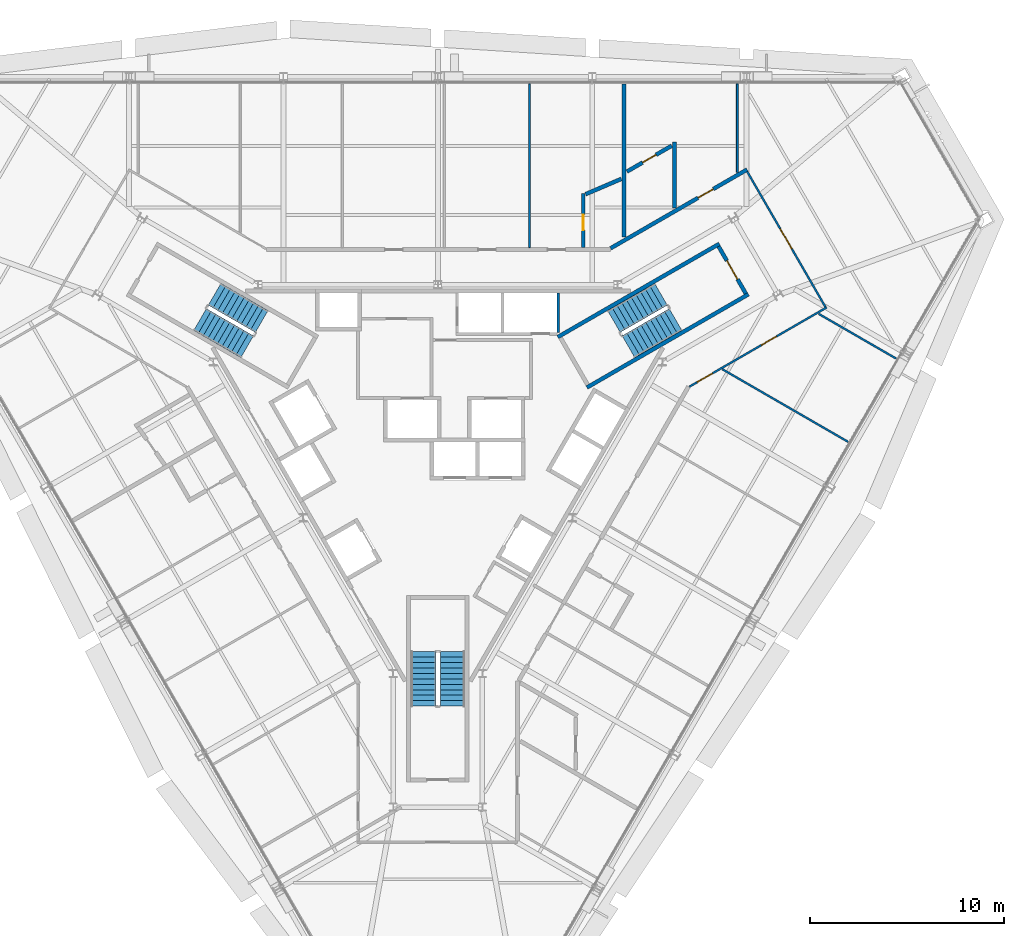
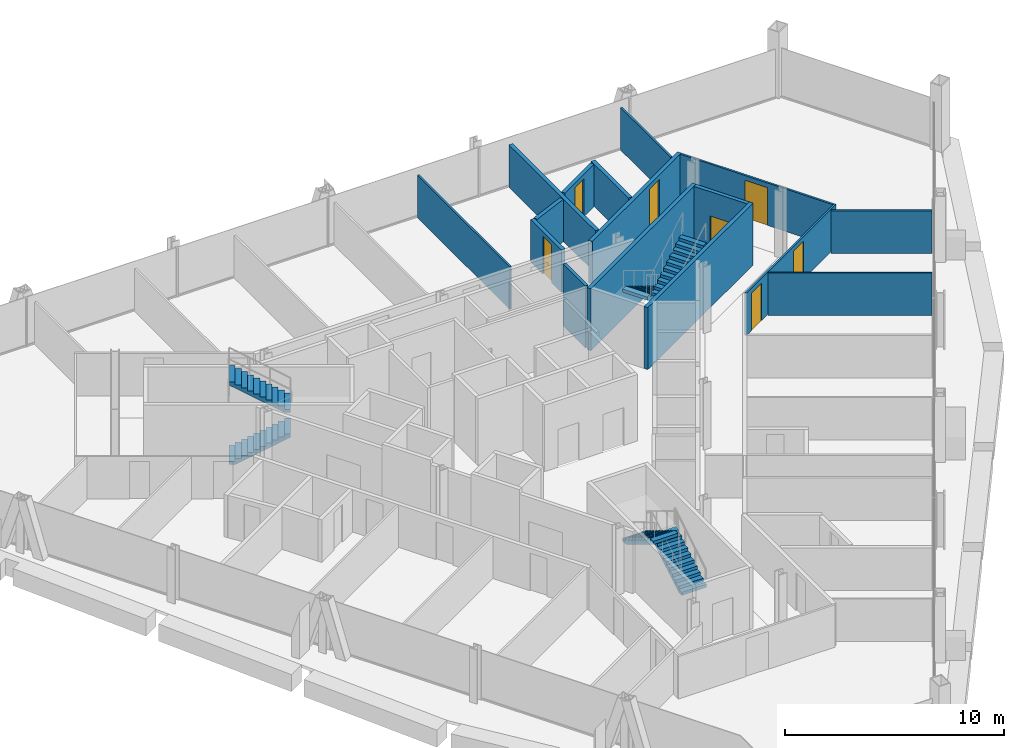
# One storey, part 12 of 14: 16 walls, 7 doors, 6 stair flights, 7 openings, 3 elements without a shape of their own.
"""IFC4 building model written with IfcOpenShell, lengths in metres."""

from ifc_helpers import new_model, si_unit, direction, frame, frame_2d, origin, place, context, subcontext, project, spatial, polyline, rectangle, outline, extrude, material, layer, layer_set, type_object, element, fill, aggregate, save


model = new_model("IFC4")

# Units and contexts
model_context = context("Model", 3, precision=1e-05, world=origin(), true_north=direction((0.0, 1.0)))
body_context = subcontext(model_context, "Body", "Model", "MODEL_VIEW")
ifc_project = project(units=[si_unit("LENGTHUNIT", "METRE"), si_unit("AREAUNIT", "SQUARE_METRE"), si_unit("VOLUMEUNIT", "CUBIC_METRE"), si_unit("PLANEANGLEUNIT", "RADIAN"), si_unit("MASSUNIT", "GRAM", prefix="KILO")], contexts=[model_context])

# Site, building, storey
site_placement = place(None, origin())
site = spatial("IfcSite", under=ifc_project, at=site_placement, CompositionType="ELEMENT")
building_placement = place(site_placement, origin())
building = spatial("IfcBuilding", under=site, at=building_placement, Name="Verrane Prism Tower", CompositionType="ELEMENT")
storey_placement = place(building_placement, frame((0.0, 0.0, 196.89990234375)))
storey = spatial("IfcBuildingStorey", under=building, at=storey_placement, Name="L49", CompositionType="ELEMENT", Elevation=196.89990234375)

# Wall, opening, door
ifc_material_1 = material(Name="Concrete C40/50", Category="concrete")
ifc_layer_1 = layer(ifc_material_1, 0.199951171875)
ifc_layer_set_1 = layer_set([ifc_layer_1], Name="CW-200 stair core wall concrete C40/50 3 h")
wall_type_1 = type_object("IfcWallType", Name="CW-200 stair core wall concrete C40/50 3 h", PredefinedType="PARTITIONING", material=ifc_layer_set_1)
wall_1_placement = place(storey_placement, frame((15.85546875, 7.53759765625, 0.0), z_axis=(0.0, 0.0, 1.0), x_axis=(-0.500049511043, 0.865996816683, 0.0)))
wall_1 = element("IfcWall", 1, at=wall_1_placement, inside=storey, type_object=wall_type_1, Name="Stair 1 enclosure wall", PredefinedType="PARTITIONING", context=body_context, shape_type="SweptSolid", body=[
    extrude(rectangle(XDim=2.800048828125, YDim=0.199951171875, at=frame_2d((1.39990234375, 0.0))), origin(), (0.0, 0.0, 1.0), 3.4501953125),
])
opening_1_placement = place(wall_1_placement, frame((0.849853515625, 0.0, 0.0)))
opening_1 = element("IfcOpeningElement", 2, at=opening_1_placement, cuts=wall_1, Name="Opening D47500", PredefinedType="OPENING", context=body_context, shape_type="SweptSolid", body=[
    extrude(rectangle(XDim=1.10009765625, YDim=2.10009765625, at=frame_2d((0.550048828125, 1.050048828125))), frame((0.0, 0.10986328125, 0.0), z_axis=(0.0, -1.0, 0.0), x_axis=(1.0, 0.0, 0.0)), (0.0, 0.0, 1.0), 0.219970703125),
])
ifc_material_2 = material(Name="Timber veneered door leaf", Category="wood")
door_type_1 = type_object("IfcDoorType", Name="DR-1100x2100 FD90 single leaf stair", OperationType="NOTDEFINED", PredefinedType="DOOR", material=ifc_material_2)
door_1_placement = place(opening_1_placement, origin())
door_1 = element("IfcDoor", 3, at=door_1_placement, inside=storey, type_object=door_type_1, Name="Stair 1 door", OperationType="SINGLE_SWING_LEFT", OverallHeight=2.10009765625, OverallWidth=1.10009765625, PredefinedType="DOOR", context=body_context, shape_type="SweptSolid", body=[
    extrude(rectangle(XDim=1.10009765625, YDim=2.10009765625, at=frame_2d((0.550048828125, 1.050048828125))), frame((0.0, 0.02490234375, 0.0), z_axis=(0.0, -1.0, 0.0), x_axis=(1.0, 0.0, 0.0)), (0.0, 0.0, 1.0), 0.050048828125),
])
fill(opening_1, door_1)

# Walls
for number, where, z_axis, x_axis, name in (
    (4, (6.17822265625, 5.299072265625, 0.0), (0.0, 0.0, 1.0), (0.866019993635, 0.500009370536, 0.0), "Stair 1 enclosure wall"),
    (5, (7.67822265625, 2.700927734375, 0.0), (0.0, 0.0, 1.0), (0.866019993635, 0.500009370536, 0.0), "Stair 1 enclosure wall"),
):
    element("IfcWall", number, at=place(storey_placement, frame(where, z_axis=z_axis, x_axis=x_axis)), inside=storey, type_object=wall_type_1, Name=name, PredefinedType="PARTITIONING", context=body_context, shape_type="SweptSolid", body=[
        extrude(rectangle(XDim=9.599853515625, YDim=0.199951171875, at=frame_2d((4.7998046875, 0.0))), origin(), (0.0, 0.0, 1.0), 3.4501953125),
    ])
ifc_material_3 = material(Name="Gypsum board partition", Category="other")
ifc_layer_2 = layer(ifc_material_3, 0.10009765625)
ifc_layer_set_2 = layer_set([ifc_layer_2], Name="PW-100 room partition")
wall_type_2 = type_object("IfcWallType", Name="PW-100 room partition", PredefinedType="PARTITIONING", material=ifc_layer_set_2)
wall_2_placement = place(storey_placement, frame((4.719970703125, 9.89990234375, 0.0), z_axis=(0.0, 0.0, 1.0), x_axis=(0.0, 1.0, 0.0)))
element("IfcWall", 6, at=wall_2_placement, inside=storey, type_object=wall_type_2, Name="Room partition 032", PredefinedType="PARTITIONING", context=body_context, shape_type="SweptSolid", body=[
    extrude(rectangle(XDim=8.43505859375, YDim=0.10009765625, at=frame_2d((4.217529296875, 0.0))), origin(), (0.0, 0.0, 1.0), 2.362060546875),
])

# Wall, openings, doors
wall_3_placement = place(storey_placement, frame((20.023193359375, 6.825927734375, 0.0), z_axis=(0.0, 0.0, 1.0), x_axis=(-0.86608949446, -0.499888975259, 0.0)))
wall_3 = element("IfcWall", 7, at=wall_3_placement, inside=storey, type_object=wall_type_2, Name="Room partition 049", PredefinedType="PARTITIONING", context=body_context, shape_type="SweptSolid", body=[
    extrude(rectangle(XDim=8.164794921875, YDim=0.10009765625, at=frame_2d((4.08251953125, 0.0))), origin(), (0.0, 0.0, 1.0), 2.362060546875),
])
opening_2_placement = place(wall_3_placement, frame((6.800048828125, 0.0, 0.0)))
opening_2 = element("IfcOpeningElement", 8, at=opening_2_placement, cuts=wall_3, Name="Opening D47007", PredefinedType="OPENING", context=body_context, shape_type="SweptSolid", body=[
    extrude(rectangle(XDim=0.89990234375, YDim=2.10009765625, at=frame_2d((0.449951171875, 1.050048828125))), frame((0.0, 0.06005859375, 0.0), z_axis=(0.0, -1.0, 0.0), x_axis=(1.0, 0.0, 0.0)), (0.0, 0.0, 1.0), 0.1201171875),
])
opening_3_placement = place(wall_3_placement, frame((2.989013671875, 0.0, 0.0)))
opening_3 = element("IfcOpeningElement", 9, at=opening_3_placement, cuts=wall_3, Name="Opening D47008", PredefinedType="OPENING", context=body_context, shape_type="SweptSolid", body=[
    extrude(rectangle(XDim=0.89990234375, YDim=2.10009765625, at=frame_2d((0.449951171875, 1.050048828125))), frame((0.0, 0.06005859375, 0.0), z_axis=(0.0, -1.0, 0.0), x_axis=(1.0, 0.0, 0.0)), (0.0, 0.0, 1.0), 0.1201171875),
])
ifc_material_4 = material(Name="Timber veneered door leaf", Category="wood")
door_type_2 = type_object("IfcDoorType", Name="DR-900x2100 single leaf unit", OperationType="NOTDEFINED", PredefinedType="DOOR", material=ifc_material_4)
door_2_placement = place(opening_2_placement, origin())
door_2 = element("IfcDoor", 10, at=door_2_placement, inside=storey, type_object=door_type_2, Name="Study door", OperationType="SINGLE_SWING_RIGHT", OverallHeight=2.10009765625, OverallWidth=0.89990234375, PredefinedType="DOOR", context=body_context, shape_type="SweptSolid", body=[
    extrude(rectangle(XDim=0.89990234375, YDim=2.10009765625, at=frame_2d((0.449951171875, 1.050048828125))), frame((0.0, 0.02490234375, 0.0), z_axis=(0.0, -1.0, 0.0), x_axis=(1.0, 0.0, 0.0)), (0.0, 0.0, 1.0), 0.050048828125),
])
fill(opening_2, door_2)
door_3_placement = place(opening_3_placement, origin())
door_3 = element("IfcDoor", 11, at=door_3_placement, inside=storey, type_object=door_type_2, Name="Study door", OperationType="SINGLE_SWING_LEFT", OverallHeight=2.10009765625, OverallWidth=0.89990234375, PredefinedType="DOOR", context=body_context, shape_type="SweptSolid", body=[
    extrude(rectangle(XDim=0.89990234375, YDim=2.10009765625, at=frame_2d((0.449951171875, 1.050048828125))), frame((0.0, 0.02490234375, 0.0), z_axis=(0.0, -1.0, 0.0), x_axis=(1.0, 0.0, 0.0)), (0.0, 0.0, 1.0), 0.050048828125),
])
fill(opening_3, door_3)

# Walls
wall_4_placement = place(storey_placement, frame((14.651123046875, 3.6396484375, 0.0), z_axis=(0.0, 0.0, 1.0), x_axis=(0.866021145342, -0.500007375767, 0.0)))
element("IfcWall", 12, at=wall_4_placement, inside=storey, type_object=wall_type_2, Name="Room partition 050", PredefinedType="PARTITIONING", context=body_context, shape_type="SweptSolid", body=[
    extrude(rectangle(XDim=7.466796875, YDim=0.10009765625, at=frame_2d((3.7333984375, 0.0))), origin(), (0.0, 0.0, 1.0), 2.362060546875),
])
wall_5_placement = place(storey_placement, frame((15.426025390625, 13.78125, 0.0), z_axis=(0.0, 0.0, 1.0), x_axis=(0.0, 1.0, 0.0)))
element("IfcWall", 13, at=wall_5_placement, inside=storey, type_object=wall_type_2, Name="Room partition 051", PredefinedType="PARTITIONING", context=body_context, shape_type="SweptSolid", body=[
    extrude(rectangle(XDim=4.5537109375, YDim=0.10009765625, at=frame_2d((2.27685546875, 0.0))), origin(), (0.0, 0.0, 1.0), 2.362060546875),
])

# Wall, opening, door
wall_6_placement = place(storey_placement, frame((15.927978515625, 13.8115234375, 0.0), z_axis=(0.0, 0.0, 1.0), x_axis=(0.500422653123, -0.865781247337, 0.0)))
wall_6 = element("IfcWall", 14, at=wall_6_placement, inside=storey, type_object=wall_type_2, Name="Room partition 052", PredefinedType="PARTITIONING", context=body_context, shape_type="SweptSolid", body=[
    extrude(rectangle(XDim=8.04736328125, YDim=0.10009765625, at=frame_2d((4.023681640625, 0.0))), origin(), (0.0, 0.0, 1.0), 2.362060546875),
])
opening_4_placement = place(wall_6_placement, frame((3.39990234375, 0.0, 0.0)))
opening_4 = element("IfcOpeningElement", 15, at=opening_4_placement, cuts=wall_6, Name="Opening D47009", PredefinedType="OPENING", context=body_context, shape_type="SweptSolid", body=[
    extrude(rectangle(XDim=1.199951171875, YDim=2.10009765625, at=frame_2d((0.60009765625, 1.050048828125))), frame((0.0, 0.06005859375, 0.0), z_axis=(0.0, -1.0, 0.0), x_axis=(1.0, 0.0, 0.0)), (0.0, 0.0, 1.0), 0.1201171875),
])
ifc_material_5 = material(Name="Timber veneered door leaf", Category="wood")
door_type_3 = type_object("IfcDoorType", Name="DR-1200x2100 single leaf unit", OperationType="NOTDEFINED", PredefinedType="DOOR", material=ifc_material_5)
door_4_placement = place(opening_4_placement, origin())
door_4 = element("IfcDoor", 16, at=door_4_placement, inside=storey, type_object=door_type_3, Name="Living And Dining Room door", OperationType="SINGLE_SWING_LEFT", OverallHeight=2.10009765625, OverallWidth=1.199951171875, PredefinedType="DOOR", context=body_context, shape_type="SweptSolid", body=[
    extrude(rectangle(XDim=1.199951171875, YDim=2.10009765625, at=frame_2d((0.60009765625, 1.050048828125))), frame((0.0, 0.02490234375, 0.0), z_axis=(0.0, -1.0, 0.0), x_axis=(1.0, 0.0, 0.0)), (0.0, 0.0, 1.0), 0.050048828125),
])
fill(opening_4, door_4)

# Wall
wall_7_placement = place(storey_placement, frame((19.60107421875, 6.49560546875, 0.0), z_axis=(0.0, 0.0, 1.0), x_axis=(0.866056775574, -0.499945658529, 0.0)))
element("IfcWall", 17, at=wall_7_placement, inside=storey, type_object=wall_type_2, Name="Room partition 053", PredefinedType="PARTITIONING", context=body_context, shape_type="SweptSolid", body=[
    extrude(rectangle(XDim=4.60791015625, YDim=0.10009765625, at=frame_2d((2.303955078125, 0.0))), origin(), (0.0, 0.0, 1.0), 2.362060546875),
])

# Wall, opening, door
ifc_material_6 = material(Name="Gypsum board partition", Category="other")
ifc_layer_3 = layer(ifc_material_6, 0.199951171875)
ifc_layer_set_3 = layer_set([ifc_layer_3], Name="PW-200 plumbing wall")
wall_type_3 = type_object("IfcWallType", Name="PW-200 plumbing wall", PredefinedType="PARTITIONING", material=ifc_layer_set_3)
wall_8_placement = place(storey_placement, frame((7.487060546875, 12.699951171875, 0.0), z_axis=(0.0, 0.0, 1.0), x_axis=(0.0, -1.0, 0.0)))
wall_8 = element("IfcWall", 18, at=wall_8_placement, inside=storey, type_object=wall_type_3, Name="Plumbing wall 039", PredefinedType="PARTITIONING", context=body_context, shape_type="SweptSolid", body=[
    extrude(rectangle(XDim=2.800048828125, YDim=0.199951171875, at=frame_2d((1.39990234375, 0.0))), origin(), (0.0, 0.0, 1.0), 2.362060546875),
])
opening_5_placement = place(wall_8_placement, frame((1.10009765625, 0.0, 0.0)))
opening_5 = element("IfcOpeningElement", 19, at=opening_5_placement, cuts=wall_8, Name="Opening D47013", PredefinedType="OPENING", context=body_context, shape_type="SweptSolid", body=[
    extrude(rectangle(XDim=0.800048828125, YDim=2.10009765625, at=frame_2d((0.39990234375, 1.050048828125))), frame((0.0, 0.10986328125, 0.0), z_axis=(0.0, -1.0, 0.0), x_axis=(1.0, 0.0, 0.0)), (0.0, 0.0, 1.0), 0.219970703125),
])
ifc_material_7 = material(Name="Timber veneered door leaf", Category="wood")
door_type_4 = type_object("IfcDoorType", Name="DR-800x2100 single leaf bath", OperationType="NOTDEFINED", PredefinedType="DOOR", material=ifc_material_7)
door_5_placement = place(opening_5_placement, origin())
door_5 = element("IfcDoor", 20, at=door_5_placement, inside=storey, type_object=door_type_4, Name="Bathroom door", OperationType="SINGLE_SWING_RIGHT", OverallHeight=2.10009765625, OverallWidth=0.800048828125, PredefinedType="DOOR", context=body_context, shape_type="SweptSolid", body=[
    extrude(rectangle(XDim=0.800048828125, YDim=2.10009765625, at=frame_2d((0.39990234375, 1.050048828125))), frame((0.0, 0.02490234375, 0.0), z_axis=(0.0, -1.0, 0.0), x_axis=(1.0, 0.0, 0.0)), (0.0, 0.0, 1.0), 0.050048828125),
])
fill(opening_5, door_5)

# Wall
wall_9_placement = place(storey_placement, frame((7.6064453125, 12.651123046875, 0.0), z_axis=(0.0, 0.0, 1.0), x_axis=(0.919138725477, 0.39393400885, 0.0)))
element("IfcWall", 21, at=wall_9_placement, inside=storey, type_object=wall_type_3, Name="Plumbing wall 040", PredefinedType="PARTITIONING", context=body_context, shape_type="SweptSolid", body=[
    extrude(rectangle(XDim=2.0029296875, YDim=0.199951171875, at=frame_2d((1.00146484375, 0.0))), origin(), (0.0, 0.0, 1.0), 2.362060546875),
])

# Wall, opening, door
wall_10_placement = place(storey_placement, frame((8.89501953125, 9.867431640625, 0.0), z_axis=(0.0, 0.0, 1.0), x_axis=(0.866079355551, 0.499906541154, 0.0)))
wall_10 = element("IfcWall", 22, at=wall_10_placement, inside=storey, type_object=wall_type_3, Name="Plumbing wall 043", PredefinedType="PARTITIONING", context=body_context, shape_type="SweptSolid", body=[
    extrude(rectangle(XDim=8.11279296875, YDim=0.199951171875, at=frame_2d((4.056396484375, 0.0))), origin(), (0.0, 0.0, 1.0), 2.362060546875),
])
opening_6_placement = place(wall_10_placement, frame((5.200927734375, 0.0, 0.0)))
opening_6 = element("IfcOpeningElement", 23, at=opening_6_placement, cuts=wall_10, Name="Opening D47010", PredefinedType="OPENING", context=body_context, shape_type="SweptSolid", body=[
    extrude(rectangle(XDim=0.89990234375, YDim=2.10009765625, at=frame_2d((0.449951171875, 1.050048828125))), frame((0.0, 0.10986328125, 0.0), z_axis=(0.0, -1.0, 0.0), x_axis=(1.0, 0.0, 0.0)), (0.0, 0.0, 1.0), 0.219970703125),
])
ifc_material_8 = material(Name="Timber veneered door leaf", Category="wood")
door_type_5 = type_object("IfcDoorType", Name="DR-900x2100 single leaf inner", OperationType="NOTDEFINED", PredefinedType="DOOR", material=ifc_material_8)
door_6_placement = place(opening_6_placement, origin())
door_6 = element("IfcDoor", 24, at=door_6_placement, inside=storey, type_object=door_type_5, Name="Master Bedroom door", OperationType="SINGLE_SWING_RIGHT", OverallHeight=2.10009765625, OverallWidth=0.89990234375, PredefinedType="DOOR", context=body_context, shape_type="SweptSolid", body=[
    extrude(rectangle(XDim=0.89990234375, YDim=2.10009765625, at=frame_2d((0.449951171875, 1.050048828125))), frame((0.0, 0.02490234375, 0.0), z_axis=(0.0, -1.0, 0.0), x_axis=(1.0, 0.0, 0.0)), (0.0, 0.0, 1.0), 0.050048828125),
])
fill(opening_6, door_6)

# Wall
wall_11_placement = place(storey_placement, frame((9.5869140625, 10.440185546875, 0.0), z_axis=(0.0, 0.0, 1.0), x_axis=(0.0, 1.0, 0.0)))
element("IfcWall", 25, at=wall_11_placement, inside=storey, type_object=wall_type_3, Name="Plumbing wall 045", PredefinedType="PARTITIONING", context=body_context, shape_type="SweptSolid", body=[
    extrude(rectangle(XDim=7.894775390625, YDim=0.199951171875, at=frame_2d((3.947265625, 0.0))), origin(), (0.0, 0.0, 1.0), 2.362060546875),
])

# Wall, opening, door
wall_12_placement = place(storey_placement, frame((12.039794921875, 15.14599609375, 0.0), z_axis=(0.0, 0.0, 1.0), x_axis=(-0.866206990114, -0.499685351273, 0.0)))
wall_12 = element("IfcWall", 26, at=wall_12_placement, inside=storey, type_object=wall_type_3, Name="Plumbing wall 046", PredefinedType="PARTITIONING", context=body_context, shape_type="SweptSolid", body=[
    extrude(rectangle(XDim=2.658447265625, YDim=0.199951171875, at=frame_2d((1.3291015625, 0.0))), origin(), (0.0, 0.0, 1.0), 2.362060546875),
])
opening_7_placement = place(wall_12_placement, frame((0.931640625, 0.0, 0.0)))
opening_7 = element("IfcOpeningElement", 27, at=opening_7_placement, cuts=wall_12, Name="Opening D47011", PredefinedType="OPENING", context=body_context, shape_type="SweptSolid", body=[
    extrude(rectangle(XDim=0.800048828125, YDim=2.10009765625, at=frame_2d((0.39990234375, 1.050048828125))), frame((0.0, 0.10986328125, 0.0), z_axis=(0.0, -1.0, 0.0), x_axis=(1.0, 0.0, 0.0)), (0.0, 0.0, 1.0), 0.219970703125),
])
door_7_placement = place(opening_7_placement, origin())
door_7 = element("IfcDoor", 28, at=door_7_placement, inside=storey, type_object=door_type_4, Name="Master Bathroom door", OperationType="SINGLE_SWING_RIGHT", OverallHeight=2.10009765625, OverallWidth=0.800048828125, PredefinedType="DOOR", context=body_context, shape_type="SweptSolid", body=[
    extrude(rectangle(XDim=0.800048828125, YDim=2.10009765625, at=frame_2d((0.39990234375, 1.050048828125))), frame((0.0, 0.02490234375, 0.0), z_axis=(0.0, -1.0, 0.0), x_axis=(1.0, 0.0, 0.0)), (0.0, 0.0, 1.0), 0.050048828125),
])
fill(opening_7, door_7)

# Walls
wall_13_placement = place(storey_placement, frame((12.18701171875, 11.940185546875, 0.0), z_axis=(0.0, 0.0, 1.0), x_axis=(0.0, 1.0, 0.0)))
element("IfcWall", 29, at=wall_13_placement, inside=storey, type_object=wall_type_3, Name="Plumbing wall 048", PredefinedType="PARTITIONING", context=body_context, shape_type="SweptSolid", body=[
    extrude(rectangle(XDim=3.390869140625, YDim=0.199951171875, at=frame_2d((1.6953125, 0.0))), origin(), (0.0, 0.0, 1.0), 2.362060546875),
])
ifc_material_9 = material(Name="Gypsum board partition", Category="other")
ifc_layer_4 = layer(ifc_material_9, 0.14990234375)
ifc_layer_set_4 = layer_set([ifc_layer_4], Name="RS-150 riser enclosure wall 1 h")
wall_type_4 = type_object("IfcWallType", Name="RS-150 riser enclosure wall 1 h", PredefinedType="PARTITIONING", material=ifc_layer_set_4)
wall_14_placement = place(storey_placement, frame((6.199951171875, 5.534912109375, 0.0), z_axis=(0.0, 0.0, 1.0), x_axis=(0.0, 1.0, 0.0)))
element("IfcWall", 30, at=wall_14_placement, inside=storey, type_object=wall_type_4, Name="Riser wall RS3-007", PredefinedType="PARTITIONING", context=body_context, shape_type="SweptSolid", body=[
    extrude(rectangle(XDim=2.025146484375, YDim=0.14990234375, at=frame_2d((1.0126953125, 0.0))), origin(), (0.0, 0.0, 1.0), 3.4501953125),
])

# Stair, stair flights
ifc_material_10 = material(Name="Concrete C40/50", Category="concrete")
stair_type = type_object("IfcStairType", Name="Exit stair 1300 dog-leg precast concrete C40/50", PredefinedType="HALF_TURN_STAIR", material=ifc_material_10)
stair_1_placement = place(storey_placement, origin())
stair_1 = element("IfcStair", 31, at=stair_1_placement, inside=storey, type_object=stair_type, Name="Stair 1 L49", PredefinedType="HALF_TURN_STAIR")
ifc_material_11 = material(Name="Concrete C40/50", Category="concrete")
stair_flight_type = type_object("IfcStairFlightType", Name="Stair flight 1300 precast concrete C40/50", PredefinedType="STRAIGHT", material=ifc_material_11)
stair_flight_1_placement = place(storey_placement, frame((11.489501953125, 7.49951171875, 0.0), z_axis=(0.0, 0.0, 1.0), x_axis=(-0.866025403784, -0.5, 0.0)))
stair_flight_1 = element("IfcStairFlight", 32, at=stair_flight_1_placement, type_object=stair_flight_type, Name="Stair 1 flight 1", NumberOfRisers=11, NumberOfTreads=10, PredefinedType="STRAIGHT", RiserHeight=0.168181818, TreadLength=0.28, context=body_context, shape_type="SweptSolid", body=[
    extrude(outline(polyline([(0.0, 0.0), (0.0, 0.168212890625), (0.280029296875, 0.168212890625), (0.280029296875, 0.33642578125), (0.56005859375, 0.33642578125), (0.56005859375, 0.504638671875), (0.840087890625, 0.504638671875), (0.840087890625, 0.672607421875), (1.1201171875, 0.672607421875), (1.1201171875, 0.8408203125), (1.39990234375, 0.8408203125), (1.39990234375, 1.009033203125), (1.679931640625, 1.009033203125), (1.679931640625, 1.17724609375), (1.9599609375, 1.17724609375), (1.9599609375, 1.345458984375), (2.239990234375, 1.345458984375), (2.239990234375, 1.513671875), (2.52001953125, 1.513671875), (2.52001953125, 1.681884765625), (2.800048828125, 1.681884765625), (2.800048828125, 1.85009765625), (2.800048828125, 1.5068359375), (0.291015625, 0.0), (0.0, 0.0)])), frame((0.0, 0.64990234375, 0.0), z_axis=(0.0, -1.0, 0.0), x_axis=(1.0, 0.0, 0.0)), (0.0, 0.0, 1.0), 1.300048828125),
])
stair_flight_2_placement = place(storey_placement, frame((9.814697265625, 4.800537109375, 1.85009765625), z_axis=(0.0, 0.0, 1.0), x_axis=(0.866025403784, 0.5, 0.0)))
stair_flight_2 = element("IfcStairFlight", 33, at=stair_flight_2_placement, type_object=stair_flight_type, Name="Stair 1 flight 2", NumberOfRisers=11, NumberOfTreads=10, PredefinedType="STRAIGHT", RiserHeight=0.168181818, TreadLength=0.28, context=body_context, shape_type="SweptSolid", body=[
    extrude(outline(polyline([(0.0, 0.0), (0.0, 0.168212890625), (0.280029296875, 0.168212890625), (0.280029296875, 0.33642578125), (0.56005859375, 0.33642578125), (0.56005859375, 0.504638671875), (0.840087890625, 0.504638671875), (0.840087890625, 0.672607421875), (1.1201171875, 0.672607421875), (1.1201171875, 0.8408203125), (1.39990234375, 0.8408203125), (1.39990234375, 1.009033203125), (1.679931640625, 1.009033203125), (1.679931640625, 1.17724609375), (1.9599609375, 1.17724609375), (1.9599609375, 1.345458984375), (2.239990234375, 1.345458984375), (2.239990234375, 1.513671875), (2.52001953125, 1.513671875), (2.52001953125, 1.681884765625), (2.800048828125, 1.681884765625), (2.800048828125, 1.85009765625), (2.800048828125, 1.5068359375), (0.291015625, 0.0), (0.0, 0.0)])), frame((0.0, 0.64990234375, 0.0), z_axis=(0.0, -1.0, 0.0), x_axis=(1.0, 0.0, 0.0)), (0.0, 0.0, 1.0), 1.300048828125),
])
aggregate(stair_1, [stair_flight_1, stair_flight_2])

stair_2_placement = place(storey_placement, origin())
stair_2 = element("IfcStair", 34, at=stair_2_placement, inside=storey, type_object=stair_type, Name="Stair 2 L49", PredefinedType="HALF_TURN_STAIR")
stair_flight_3_placement = place(storey_placement, frame((-12.239501953125, 6.200439453125, 0.0), z_axis=(0.0, 0.0, 1.0), x_axis=(0.866025403784, -0.5, 0.0)))
stair_flight_3 = element("IfcStairFlight", 35, at=stair_flight_3_placement, type_object=stair_flight_type, Name="Stair 2 flight 1", NumberOfRisers=11, NumberOfTreads=10, PredefinedType="STRAIGHT", RiserHeight=0.168181818, TreadLength=0.28, context=body_context, shape_type="SweptSolid", body=[
    extrude(outline(polyline([(0.0, 0.0), (0.0, 0.168212890625), (0.280029296875, 0.168212890625), (0.280029296875, 0.33642578125), (0.56005859375, 0.33642578125), (0.56005859375, 0.504638671875), (0.840087890625, 0.504638671875), (0.840087890625, 0.672607421875), (1.1201171875, 0.672607421875), (1.1201171875, 0.8408203125), (1.39990234375, 0.8408203125), (1.39990234375, 1.009033203125), (1.679931640625, 1.009033203125), (1.679931640625, 1.17724609375), (1.9599609375, 1.17724609375), (1.9599609375, 1.345458984375), (2.239990234375, 1.345458984375), (2.239990234375, 1.513671875), (2.52001953125, 1.513671875), (2.52001953125, 1.681884765625), (2.800048828125, 1.681884765625), (2.800048828125, 1.85009765625), (2.800048828125, 1.5068359375), (0.291015625, 0.0), (0.0, 0.0)])), frame((0.0, 0.64990234375, 0.0), z_axis=(0.0, -1.0, 0.0), x_axis=(1.0, 0.0, 0.0)), (0.0, 0.0, 1.0), 1.300048828125),
])
stair_flight_4_placement = place(storey_placement, frame((-9.064697265625, 6.099609375, 1.85009765625), z_axis=(0.0, 0.0, 1.0), x_axis=(-0.866025403784, 0.5, 0.0)))
stair_flight_4 = element("IfcStairFlight", 36, at=stair_flight_4_placement, type_object=stair_flight_type, Name="Stair 2 flight 2", NumberOfRisers=11, NumberOfTreads=10, PredefinedType="STRAIGHT", RiserHeight=0.168181818, TreadLength=0.28, context=body_context, shape_type="SweptSolid", body=[
    extrude(outline(polyline([(0.0, 0.0), (0.0, 0.168212890625), (0.280029296875, 0.168212890625), (0.280029296875, 0.33642578125), (0.56005859375, 0.33642578125), (0.56005859375, 0.504638671875), (0.840087890625, 0.504638671875), (0.840087890625, 0.672607421875), (1.1201171875, 0.672607421875), (1.1201171875, 0.8408203125), (1.39990234375, 0.8408203125), (1.39990234375, 1.009033203125), (1.679931640625, 1.009033203125), (1.679931640625, 1.17724609375), (1.9599609375, 1.17724609375), (1.9599609375, 1.345458984375), (2.239990234375, 1.345458984375), (2.239990234375, 1.513671875), (2.52001953125, 1.513671875), (2.52001953125, 1.681884765625), (2.800048828125, 1.681884765625), (2.800048828125, 1.85009765625), (2.800048828125, 1.5068359375), (0.291015625, 0.0), (0.0, 0.0)])), frame((0.0, 0.64990234375, 0.0), z_axis=(0.0, -1.0, 0.0), x_axis=(1.0, 0.0, 0.0)), (0.0, 0.0, 1.0), 1.300048828125),
])
aggregate(stair_2, [stair_flight_3, stair_flight_4])

stair_3_placement = place(storey_placement, origin())
stair_3 = element("IfcStair", 37, at=stair_3_placement, inside=storey, type_object=stair_type, Name="Stair 3 L49", PredefinedType="HALF_TURN_STAIR")
stair_flight_5_placement = place(storey_placement, frame((0.75, -13.699951171875, 0.0), z_axis=(0.0, 0.0, 1.0), x_axis=(0.0, 1.0, 0.0)))
stair_flight_5 = element("IfcStairFlight", 38, at=stair_flight_5_placement, type_object=stair_flight_type, Name="Stair 3 flight 1", NumberOfRisers=11, NumberOfTreads=10, PredefinedType="STRAIGHT", RiserHeight=0.168181818, TreadLength=0.28, context=body_context, shape_type="SweptSolid", body=[
    extrude(outline(polyline([(0.0, 0.0), (0.0, 0.168212890625), (0.280029296875, 0.168212890625), (0.280029296875, 0.33642578125), (0.56005859375, 0.33642578125), (0.56005859375, 0.504638671875), (0.840087890625, 0.504638671875), (0.840087890625, 0.672607421875), (1.1201171875, 0.672607421875), (1.1201171875, 0.8408203125), (1.39990234375, 0.8408203125), (1.39990234375, 1.009033203125), (1.679931640625, 1.009033203125), (1.679931640625, 1.17724609375), (1.9599609375, 1.17724609375), (1.9599609375, 1.345458984375), (2.239990234375, 1.345458984375), (2.239990234375, 1.513671875), (2.52001953125, 1.513671875), (2.52001953125, 1.681884765625), (2.800048828125, 1.681884765625), (2.800048828125, 1.85009765625), (2.800048828125, 1.5068359375), (0.291015625, 0.0), (0.0, 0.0)])), frame((0.0, 0.64990234375, 0.0), z_axis=(0.0, -1.0, 0.0), x_axis=(1.0, 0.0, 0.0)), (0.0, 0.0, 1.0), 1.300048828125),
])
stair_flight_6_placement = place(storey_placement, frame((-0.75, -10.89990234375, 1.85009765625), z_axis=(0.0, 0.0, 1.0), x_axis=(0.0, -1.0, 0.0)))
stair_flight_6 = element("IfcStairFlight", 39, at=stair_flight_6_placement, type_object=stair_flight_type, Name="Stair 3 flight 2", NumberOfRisers=11, NumberOfTreads=10, PredefinedType="STRAIGHT", RiserHeight=0.168181818, TreadLength=0.28, context=body_context, shape_type="SweptSolid", body=[
    extrude(outline(polyline([(0.0, 0.0), (0.0, 0.168212890625), (0.280029296875, 0.168212890625), (0.280029296875, 0.33642578125), (0.56005859375, 0.33642578125), (0.56005859375, 0.504638671875), (0.840087890625, 0.504638671875), (0.840087890625, 0.672607421875), (1.1201171875, 0.672607421875), (1.1201171875, 0.8408203125), (1.39990234375, 0.8408203125), (1.39990234375, 1.009033203125), (1.679931640625, 1.009033203125), (1.679931640625, 1.17724609375), (1.9599609375, 1.17724609375), (1.9599609375, 1.345458984375), (2.239990234375, 1.345458984375), (2.239990234375, 1.513671875), (2.52001953125, 1.513671875), (2.52001953125, 1.681884765625), (2.800048828125, 1.681884765625), (2.800048828125, 1.85009765625), (2.800048828125, 1.5068359375), (0.291015625, 0.0), (0.0, 0.0)])), frame((0.0, 0.64990234375, 0.0), z_axis=(0.0, -1.0, 0.0), x_axis=(1.0, 0.0, 0.0)), (0.0, 0.0, 1.0), 1.300048828125),
])
aggregate(stair_3, [stair_flight_5, stair_flight_6])

save(model, "model.ifc")
